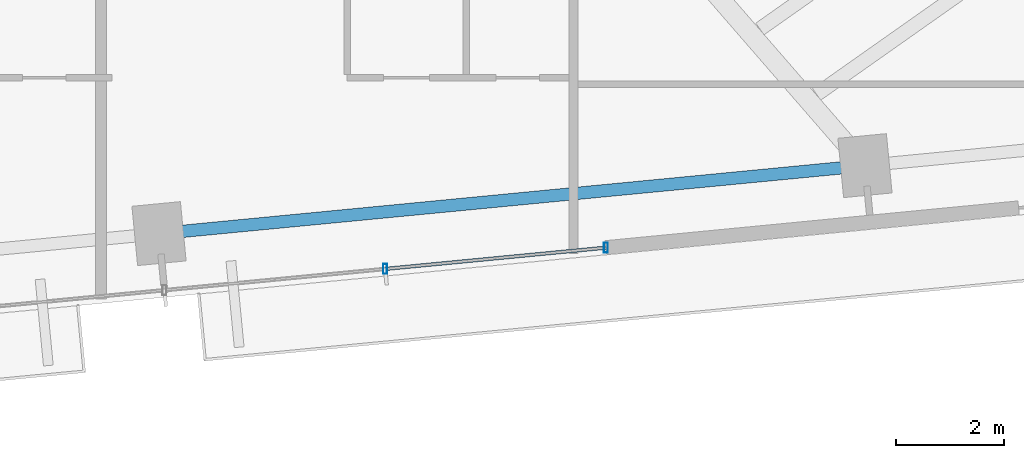
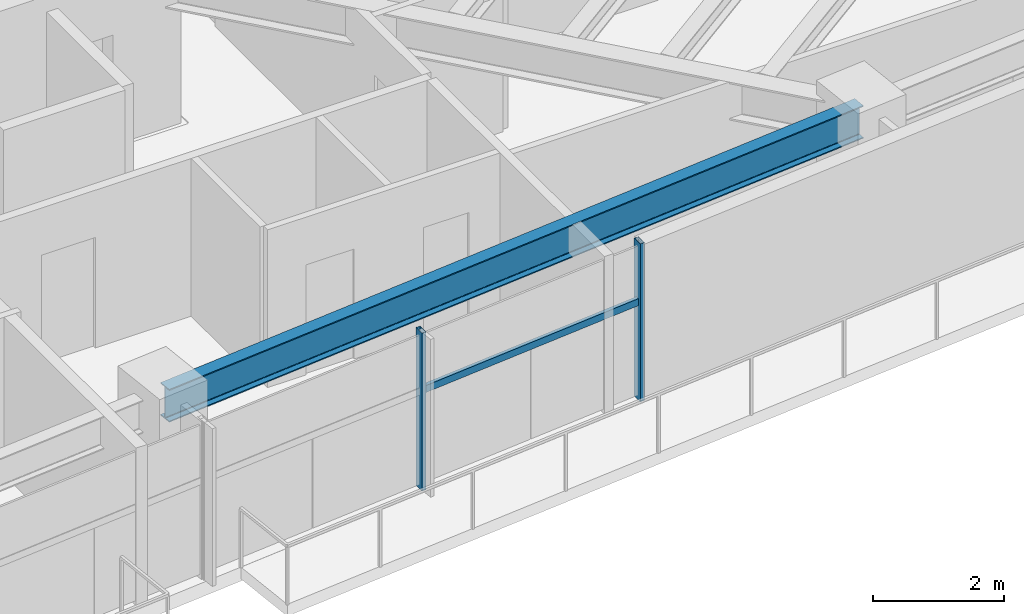
# One storey, part 12 of 27: 3 members, 1 beam, 1 element without a shape of its own.
"""IFC4 building model written with IfcOpenShell, lengths in metres."""

from ifc_helpers import new_model, si_unit, direction, frame, origin, origin_2d, place, context, subcontext, project, spatial, hollow_rectangle, i_section, extrude, source, transform, mapped, material, material_profile, profile_set, type_object, type_shapes, element, aggregate, save


model = new_model("IFC4")

# Units and contexts
model_context = context("Model", 3, precision=1e-05, world=origin(), true_north=direction((0.0, 1.0)))
body_context = subcontext(model_context, "Body", "Model", "MODEL_VIEW")
ifc_project = project(units=[si_unit("LENGTHUNIT", "METRE"), si_unit("AREAUNIT", "SQUARE_METRE"), si_unit("VOLUMEUNIT", "CUBIC_METRE"), si_unit("PLANEANGLEUNIT", "RADIAN"), si_unit("MASSUNIT", "GRAM", prefix="KILO")], contexts=[model_context])

# Site, building, storey
site_placement = place(None, origin())
site = spatial("IfcSite", under=ifc_project, at=site_placement, CompositionType="ELEMENT")
building_placement = place(site_placement, origin())
building = spatial("IfcBuilding", under=site, at=building_placement, Name="Astriad Promenade Condominiums", CompositionType="ELEMENT")
storey_placement = place(building_placement, frame((0.0, 0.0, 113.0)))
storey = spatial("IfcBuildingStorey", under=building, at=storey_placement, Name="L32", CompositionType="ELEMENT", Elevation=113.0)

# Beam
ifc_material_1 = material(Name="Steel ASTM A992 Grade 50", Category="steel")
ifc_material_profile_1 = material_profile(ifc_material_1, i_section(OverallWidth=0.22900390625, OverallDepth=0.612060546875, WebThickness=0.011962890625, FlangeThickness=0.01953125, FilletRadius=0.017822265625, at=origin_2d()), Name="W24X84")
ifc_profile_set_1 = profile_set([ifc_material_profile_1], Name="Steel ASTM A992 Grade 50")
beam_type = type_object("IfcBeamType", Name="STEEL SPANDREL BEAM W24X84", PredefinedType="SPANDREL", material=ifc_profile_set_1)
shared_shape_1 = source(origin(), body_context, "Body", "SweptSolid", [
    extrude(i_section(OverallWidth=0.22900390625, OverallDepth=0.612060546875, WebThickness=0.011962890625, FlangeThickness=0.01953125, FilletRadius=0.017822265625, at=origin_2d()), origin(), (0.0, 0.0, 1.0), 13.02001953125),
])
type_shapes(beam_type, [shared_shape_1])
beam_placement = place(storey_placement, frame((40.085205078125, 7.5244140625, 2.6337890625), z_axis=(0.995395138946, 0.095856754395, 0.0), x_axis=(-0.095856754395, 0.995395138946, 0.0)))
element("IfcBeam", 1, at=beam_placement, inside=storey, type_object=beam_type, Name="Perimeter Spandrel Beam SP-S3-L32", PredefinedType="SPANDREL", context=body_context, shape_type="MappedRepresentation", body=[
    mapped(shared_shape_1, transform((0.0, 0.0, 0.0), scale=1.0)),
])

# Curtain wall, members
ifc_material_2 = material(Name="Anodised aluminium Black Dark Glass Unitised", Category="aluminium")
curtain_wall_type = type_object("IfcCurtainWallType", Name="CW-B2-DARK", PredefinedType="USERDEFINED", material=ifc_material_2)
curtain_wall_placement = place(storey_placement, origin())
curtain_wall = element("IfcCurtainWall", 2, at=curtain_wall_placement, inside=storey, type_object=curtain_wall_type, Name="CW-L32-S", ObjectType="UNITISED_CURTAIN_WALL", PredefinedType="USERDEFINED")
ifc_material_3 = material(Name="Anodised aluminium 6063-T6 Black", Category="aluminium")
ifc_material_profile_2 = material_profile(ifc_material_3, hollow_rectangle(XDim=0.074951171875, YDim=0.18505859375, WallThickness=0.00439453125, at=origin_2d()), Name="ALU-MUL-75X185")
ifc_profile_set_2 = profile_set([ifc_material_profile_2], Name="Anodised aluminium 6063-T6 Black")
member_type_1 = type_object("IfcMemberType", Name="MUL-ALU-MUL-75X185", PredefinedType="MULLION", material=ifc_profile_set_2)
shared_shape_2 = source(origin(), body_context, "Body", "SweptSolid", [
    extrude(hollow_rectangle(XDim=0.074951171875, YDim=0.18505859375, WallThickness=0.00439453125, at=origin_2d()), origin(), (0.0, 0.0, 1.0), 2.93994140625),
])
type_shapes(member_type_1, [shared_shape_2])
member_1_placement = place(storey_placement, frame((48.29833984375, 7.260498046875, 0.0), z_axis=(0.0, 0.0, 1.0), x_axis=(1.0, 0.0, 0.0)))
member_1 = element("IfcMember", 3, at=member_1_placement, type_object=member_type_1, Name="CW-L32-S-MUL-00", PredefinedType="MULLION", context=body_context, shape_type="MappedRepresentation", body=[
    mapped(shared_shape_2, transform((0.0, 0.0, 0.0), scale=1.0)),
])
member_2_placement = place(storey_placement, frame((44.22216796875, 6.867919921875, 0.0), z_axis=(0.0, 0.0, 1.0), x_axis=(1.0, 0.0, 0.0)))
member_2 = element("IfcMember", 4, at=member_2_placement, type_object=member_type_1, Name="CW-L32-S-MUL-01", PredefinedType="MULLION", context=body_context, shape_type="MappedRepresentation", body=[
    mapped(shared_shape_2, transform((0.0, 0.0, 0.0), scale=1.0)),
])
ifc_material_profile_3 = material_profile(ifc_material_3, hollow_rectangle(XDim=0.06494140625, YDim=0.1298828125, WallThickness=0.00390625, at=origin_2d()), Name="ALU-TRN-65X130")
ifc_profile_set_3 = profile_set([ifc_material_profile_3], Name="Anodised aluminium 6063-T6 Black")
member_type_2 = type_object("IfcMemberType", Name="TRN-ALU-TRN-65X130", PredefinedType="USERDEFINED", material=ifc_profile_set_3)
shared_shape_3 = source(origin(), body_context, "Body", "SweptSolid", [
    extrude(hollow_rectangle(XDim=0.06494140625, YDim=0.1298828125, WallThickness=0.00390625, at=origin_2d()), origin(), (0.0, 0.0, 1.0), 4.094970703125),
])
type_shapes(member_type_2, [shared_shape_3])
member_3_placement = place(storey_placement, frame((48.29833984375, 7.260498046875, 1.82275390625), z_axis=(-0.995394161585, -0.09586690296, 0.0), x_axis=(0.09586690296, -0.995394161585, 0.0)))
member_3 = element("IfcMember", 5, at=member_3_placement, type_object=member_type_2, Name="CW-L32-S-TRN-00-0", ObjectType="TRANSOM", PredefinedType="USERDEFINED", context=body_context, shape_type="MappedRepresentation", body=[
    mapped(shared_shape_3, transform((0.0, 0.0, 0.0), scale=1.0)),
])
aggregate(curtain_wall, [member_1, member_2, member_3])

save(model, "model.ifc")
